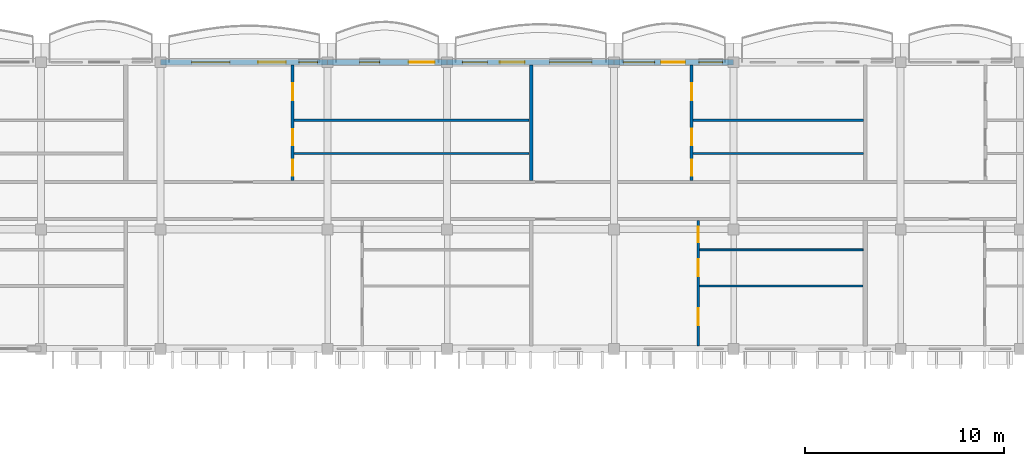
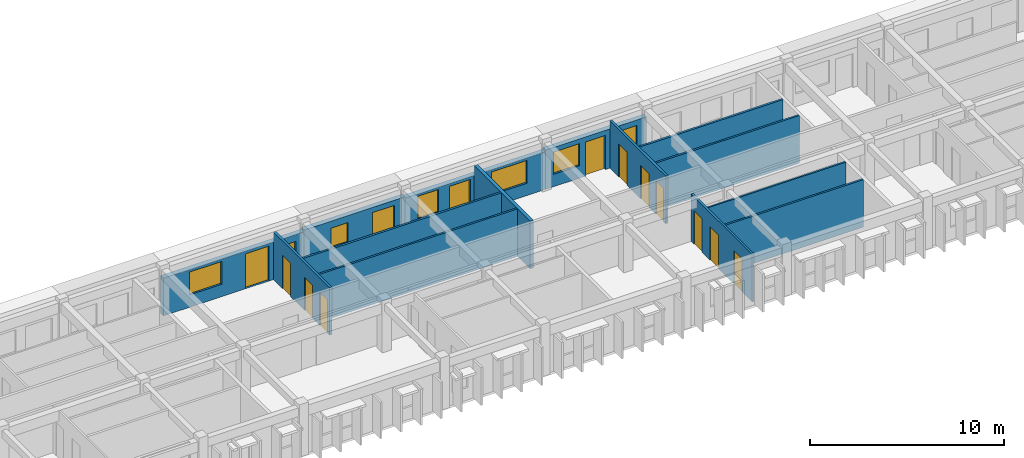
# One storey, part 36 of 68: 14 walls, 13 doors, 7 windows, 20 openings.
"""IFC4 building model written with IfcOpenShell, lengths in metres."""

from ifc_helpers import new_model, si_unit, direction, frame, frame_2d, origin, place, context, subcontext, project, spatial, rectangle, extrude, material, layer, layer_set, type_object, element, fill, save


model = new_model("IFC4")

# Units and contexts
model_context = context("Model", 3, precision=1e-05, world=origin(), true_north=direction((0.0, 1.0)))
body_context = subcontext(model_context, "Body", "Model", "MODEL_VIEW")
ifc_project = project(units=[si_unit("LENGTHUNIT", "METRE"), si_unit("AREAUNIT", "SQUARE_METRE"), si_unit("VOLUMEUNIT", "CUBIC_METRE"), si_unit("PLANEANGLEUNIT", "RADIAN"), si_unit("MASSUNIT", "GRAM", prefix="KILO"), si_unit("THERMODYNAMICTEMPERATUREUNIT", "KELVIN")], contexts=[model_context])

# Site, building, storey
site_placement = place(None, origin())
site = spatial("IfcSite", under=ifc_project, at=site_placement, CompositionType="ELEMENT")
building_placement = place(site_placement, origin())
building = spatial("IfcBuilding", under=site, at=building_placement, Name="Thalorik Housing Commons", CompositionType="ELEMENT")
storey_placement = place(building_placement, frame((0.0, 0.0, 24.60009765625)))
storey = spatial("IfcBuildingStorey", under=building, at=storey_placement, Name="L07", CompositionType="ELEMENT", Elevation=24.60009765625)

# Wall, openings, door, windows
ifc_material_1 = material(Name="White precast concrete C40/50", Category="concrete")
ifc_layer_1 = layer(ifc_material_1, 0.2900390625, Name="White precast concrete C40/50", Category="concrete")
ifc_layer_set_1 = layer_set([ifc_layer_1], Name="White precast concrete C40/50")
wall_type_1 = type_object("IfcWallType", Name="ARC-WAL-EXT-290", PredefinedType="STANDARD", material=ifc_layer_set_1)
wall_1_placement = place(storey_placement, frame((129.60009765625, 123.60009765625, 0.0), z_axis=(0.0, 0.0, 1.0), x_axis=(-1.0, 0.0, 0.0)))
wall_1 = element("IfcWall", 1, at=wall_1_placement, inside=storey, type_object=wall_type_1, Name="L07 Exterior Wall WAL-EXT-L07-B-0642", PredefinedType="STANDARD", context=body_context, shape_type="SweptSolid", body=[
    extrude(rectangle(XDim=6.0, YDim=0.2900390625, at=frame_2d((3.0, 0.0))), origin(), (0.0, 0.0, 1.0), 2.474853515625),
])
opening_1_placement = place(wall_1_placement, frame((2.44091796875, 0.0, 0.0)))
opening_1 = element("IfcOpeningElement", 2, at=opening_1_placement, cuts=wall_1, Name="Opening ED-0211", PredefinedType="OPENING", context=body_context, shape_type="SweptSolid", body=[
    extrude(rectangle(XDim=1.199951171875, YDim=2.14990234375, at=frame_2d((0.60009765625, 1.074951171875))), frame((0.0, 0.155029296875, 0.0), z_axis=(0.0, -1.0, 0.0), x_axis=(1.0, 0.0, 0.0)), (0.0, 0.0, 1.0), 0.31005859375),
])
opening_2_placement = place(wall_1_placement, frame((0.55029296875, 0.0, 0.780029296875)))
opening_2 = element("IfcOpeningElement", 3, at=opening_2_placement, cuts=wall_1, Name="Opening W-04", PredefinedType="OPENING", context=body_context, shape_type="SweptSolid", body=[
    extrude(rectangle(XDim=1.199951171875, YDim=1.35009765625, at=frame_2d((0.60009765625, 0.675048828125))), frame((0.0, 0.155029296875, 0.0), z_axis=(0.0, -1.0, 0.0), x_axis=(1.0, 0.0, 0.0)), (0.0, 0.0, 1.0), 0.31005859375),
])
opening_3_placement = place(wall_1_placement, frame((3.975341796875, 0.0, 0.780029296875)))
opening_3 = element("IfcOpeningElement", 4, at=opening_3_placement, cuts=wall_1, Name="Opening W-12", PredefinedType="OPENING", context=body_context, shape_type="SweptSolid", body=[
    extrude(rectangle(XDim=1.550048828125, YDim=1.39990234375, at=frame_2d((0.77490234375, 0.699951171875))), frame((0.0, 0.155029296875, 0.0), z_axis=(0.0, -1.0, 0.0), x_axis=(1.0, 0.0, 0.0)), (0.0, 0.0, 1.0), 0.31005859375),
])
ifc_material_2 = material(Name="Anodised aluminium and laminated safety glass", Category="aluminium")
door_type_1 = type_object("IfcDoorType", Name="ARC-DR-BAL-1200", OperationType="NOTDEFINED", PredefinedType="DOOR", material=ifc_material_2)
door_1_placement = place(opening_1_placement, frame((1.199951171875, 0.0, 0.0), z_axis=(0.0, 0.0, 1.0), x_axis=(-1.0, 0.0, 0.0)))
door_1 = element("IfcDoor", 5, at=door_1_placement, inside=storey, type_object=door_type_1, Name="L07 Block B Balcony Glazed Door", OperationType="SINGLE_SWING_RIGHT", OverallHeight=2.14990234375, OverallWidth=1.199951171875, PredefinedType="DOOR", context=body_context, shape_type="SweptSolid", body=[
    extrude(rectangle(XDim=1.199951171875, YDim=2.14990234375, at=frame_2d((0.60009765625, 1.074951171875))), frame((0.0, 0.02490234375, 0.0), z_axis=(0.0, -1.0, 0.0), x_axis=(1.0, 0.0, 0.0)), (0.0, 0.0, 1.0), 0.050048828125),
])
fill(opening_1, door_1)
ifc_material_3 = material(Name="Anodised aluminium and solar-control low-E glass", Category="aluminium")
window_type_1 = type_object("IfcWindowType", Name="ARC-WIN-04", PartitioningType="SINGLE_PANEL", PredefinedType="WINDOW", material=ifc_material_3)
window_1_placement = place(opening_2_placement, origin())
window_1 = element("IfcWindow", 6, at=window_1_placement, inside=storey, type_object=window_type_1, Name="L07 Facade Window 1174", OverallHeight=1.35009765625, OverallWidth=1.199951171875, PartitioningType="SINGLE_PANEL", PredefinedType="WINDOW", context=body_context, shape_type="SweptSolid", body=[
    extrude(rectangle(XDim=1.199951171875, YDim=1.35009765625, at=frame_2d((0.60009765625, 0.675048828125))), frame((0.0, 0.030029296875, 0.0), z_axis=(0.0, -1.0, 0.0), x_axis=(1.0, 0.0, 0.0)), (0.0, 0.0, 1.0), 0.06005859375),
])
fill(opening_2, window_1)
window_type_2 = type_object("IfcWindowType", Name="ARC-WIN-12", PartitioningType="SINGLE_PANEL", PredefinedType="WINDOW", material=ifc_material_3)
window_2_placement = place(opening_3_placement, origin())
window_2 = element("IfcWindow", 7, at=window_2_placement, inside=storey, type_object=window_type_2, Name="L07 Facade Window 1175", OverallHeight=1.39990234375, OverallWidth=1.550048828125, PartitioningType="SINGLE_PANEL", PredefinedType="WINDOW", context=body_context, shape_type="SweptSolid", body=[
    extrude(rectangle(XDim=1.550048828125, YDim=1.39990234375, at=frame_2d((0.77490234375, 0.699951171875))), frame((0.0, 0.030029296875, 0.0), z_axis=(0.0, -1.0, 0.0), x_axis=(1.0, 0.0, 0.0)), (0.0, 0.0, 1.0), 0.06005859375),
])
fill(opening_3, window_2)

wall_2_placement = place(storey_placement, frame((123.60009765625, 123.60009765625, 0.0), z_axis=(0.0, 0.0, 1.0), x_axis=(-1.0, 0.0, 0.0)))
wall_2 = element("IfcWall", 8, at=wall_2_placement, inside=storey, type_object=wall_type_1, Name="L07 Exterior Wall WAL-EXT-L07-B-0643", PredefinedType="STANDARD", context=body_context, shape_type="SweptSolid", body=[
    extrude(rectangle(XDim=8.400146484375, YDim=0.2900390625, at=frame_2d((4.2001953125, 0.0))), origin(), (0.0, 0.0, 1.0), 2.375),
])
opening_4_placement = place(wall_2_placement, frame((4.5, 0.0, 0.0)))
opening_4 = element("IfcOpeningElement", 9, at=opening_4_placement, cuts=wall_2, Name="Opening ED-0212", PredefinedType="OPENING", context=body_context, shape_type="SweptSolid", body=[
    extrude(rectangle(XDim=1.25, YDim=2.199951171875, at=frame_2d((0.625, 1.10009765625))), frame((0.0, 0.155029296875, 0.0), z_axis=(0.0, -1.0, 0.0), x_axis=(1.0, 0.0, 0.0)), (0.0, 0.0, 1.0), 0.31005859375),
])
opening_5_placement = place(wall_2_placement, frame((1.1201171875, 0.0, 0.780029296875)))
opening_5 = element("IfcOpeningElement", 10, at=opening_5_placement, cuts=wall_2, Name="Opening W-64", PredefinedType="OPENING", context=body_context, shape_type="SweptSolid", body=[
    extrude(rectangle(XDim=2.1201171875, YDim=1.43994140625, at=frame_2d((1.06005859375, 0.719970703125))), frame((0.0, 0.155029296875, 0.0), z_axis=(0.0, -1.0, 0.0), x_axis=(1.0, 0.0, 0.0)), (0.0, 0.0, 1.0), 0.31005859375),
])
opening_6_placement = place(wall_2_placement, frame((6.3798828125, 0.0, 0.780029296875)))
opening_6 = element("IfcOpeningElement", 11, at=opening_6_placement, cuts=wall_2, Name="Opening W-47", PredefinedType="OPENING", context=body_context, shape_type="SweptSolid", body=[
    extrude(rectangle(XDim=1.25, YDim=1.449951171875, at=frame_2d((0.625, 0.72509765625))), frame((0.0, 0.155029296875, 0.0), z_axis=(0.0, -1.0, 0.0), x_axis=(1.0, 0.0, 0.0)), (0.0, 0.0, 1.0), 0.31005859375),
])
door_type_2 = type_object("IfcDoorType", Name="ARC-DR-BAL-1250", OperationType="NOTDEFINED", PredefinedType="DOOR", material=ifc_material_2)
door_2_placement = place(opening_4_placement, frame((1.25, 0.0, 0.0), z_axis=(0.0, 0.0, 1.0), x_axis=(-1.0, 0.0, 0.0)))
door_2 = element("IfcDoor", 12, at=door_2_placement, inside=storey, type_object=door_type_2, Name="L07 Block B Balcony Glazed Door", OperationType="SINGLE_SWING_LEFT", OverallHeight=2.199951171875, OverallWidth=1.25, PredefinedType="DOOR", context=body_context, shape_type="SweptSolid", body=[
    extrude(rectangle(XDim=1.25, YDim=2.199951171875, at=frame_2d((0.625, 1.10009765625))), frame((0.0, 0.02490234375, 0.0), z_axis=(0.0, -1.0, 0.0), x_axis=(1.0, 0.0, 0.0)), (0.0, 0.0, 1.0), 0.050048828125),
])
fill(opening_4, door_2)
window_type_3 = type_object("IfcWindowType", Name="ARC-WIN-47", PartitioningType="SINGLE_PANEL", PredefinedType="WINDOW", material=ifc_material_3)
window_3_placement = place(opening_6_placement, origin())
window_3 = element("IfcWindow", 13, at=window_3_placement, inside=storey, type_object=window_type_3, Name="L07 Facade Window 1177", OverallHeight=1.449951171875, OverallWidth=1.25, PartitioningType="SINGLE_PANEL", PredefinedType="WINDOW", context=body_context, shape_type="SweptSolid", body=[
    extrude(rectangle(XDim=1.25, YDim=1.449951171875, at=frame_2d((0.625, 0.72509765625))), frame((0.0, 0.030029296875, 0.0), z_axis=(0.0, -1.0, 0.0), x_axis=(1.0, 0.0, 0.0)), (0.0, 0.0, 1.0), 0.06005859375),
])
fill(opening_6, window_3)
window_type_4 = type_object("IfcWindowType", Name="ARC-WIN-64", PartitioningType="DOUBLE_PANEL_VERTICAL", PredefinedType="WINDOW", material=ifc_material_3)
window_4_placement = place(opening_5_placement, origin())
window_4 = element("IfcWindow", 14, at=window_4_placement, inside=storey, type_object=window_type_4, Name="L07 Facade Window 1176", OverallHeight=1.43994140625, OverallWidth=2.1201171875, PartitioningType="DOUBLE_PANEL_VERTICAL", PredefinedType="WINDOW", context=body_context, shape_type="SweptSolid", body=[
    extrude(rectangle(XDim=2.1201171875, YDim=1.43994140625, at=frame_2d((1.06005859375, 0.719970703125))), frame((0.0, 0.030029296875, 0.0), z_axis=(0.0, -1.0, 0.0), x_axis=(1.0, 0.0, 0.0)), (0.0, 0.0, 1.0), 0.06005859375),
])
fill(opening_5, window_4)

# Wall, openings, door, window
wall_3_placement = place(storey_placement, frame((115.199951171875, 123.60009765625, 0.0), z_axis=(0.0, 0.0, 1.0), x_axis=(-1.0, 0.0, 0.0)))
wall_3 = element("IfcWall", 15, at=wall_3_placement, inside=storey, type_object=wall_type_1, Name="L07 Exterior Wall WAL-EXT-L07-B-0644", PredefinedType="STANDARD", context=body_context, shape_type="SweptSolid", body=[
    extrude(rectangle(XDim=6.0, YDim=0.2900390625, at=frame_2d((3.0, 0.0))), origin(), (0.0, 0.0, 1.0), 2.474853515625),
])
opening_7_placement = place(wall_3_placement, frame((0.6201171875, 0.0, 0.0)))
opening_7 = element("IfcOpeningElement", 16, at=opening_7_placement, cuts=wall_3, Name="Opening ED-0213", PredefinedType="OPENING", context=body_context, shape_type="SweptSolid", body=[
    extrude(rectangle(XDim=1.300048828125, YDim=2.14990234375, at=frame_2d((0.64990234375, 1.074951171875))), frame((0.0, 0.155029296875, 0.0), z_axis=(0.0, -1.0, 0.0), x_axis=(1.0, 0.0, 0.0)), (0.0, 0.0, 1.0), 0.31005859375),
])
opening_8_placement = place(wall_3_placement, frame((3.389892578125, 0.0, 0.780029296875)))
opening_8 = element("IfcOpeningElement", 17, at=opening_8_placement, cuts=wall_3, Name="Opening W-02", PredefinedType="OPENING", context=body_context, shape_type="SweptSolid", body=[
    extrude(rectangle(XDim=1.0, YDim=1.25, at=frame_2d((0.5, 0.625))), frame((0.0, 0.155029296875, 0.0), z_axis=(0.0, -1.0, 0.0), x_axis=(1.0, 0.0, 0.0)), (0.0, 0.0, 1.0), 0.31005859375),
])
door_type_3 = type_object("IfcDoorType", Name="ARC-DR-BAL-1300", OperationType="NOTDEFINED", PredefinedType="DOOR", material=ifc_material_2)
door_3_placement = place(opening_7_placement, frame((1.300048828125, 0.0, 0.0), z_axis=(0.0, 0.0, 1.0), x_axis=(-1.0, 0.0, 0.0)))
door_3 = element("IfcDoor", 18, at=door_3_placement, inside=storey, type_object=door_type_3, Name="L07 Block B Balcony Glazed Door", OperationType="SINGLE_SWING_RIGHT", OverallHeight=2.14990234375, OverallWidth=1.300048828125, PredefinedType="DOOR", context=body_context, shape_type="SweptSolid", body=[
    extrude(rectangle(XDim=1.300048828125, YDim=2.14990234375, at=frame_2d((0.64990234375, 1.074951171875))), frame((0.0, 0.02490234375, 0.0), z_axis=(0.0, -1.0, 0.0), x_axis=(1.0, 0.0, 0.0)), (0.0, 0.0, 1.0), 0.050048828125),
])
fill(opening_7, door_3)
window_type_5 = type_object("IfcWindowType", Name="ARC-WIN-02", PartitioningType="SINGLE_PANEL", PredefinedType="WINDOW", material=ifc_material_3)
window_5_placement = place(opening_8_placement, origin())
window_5 = element("IfcWindow", 19, at=window_5_placement, inside=storey, type_object=window_type_5, Name="L07 Facade Window 1178", OverallHeight=1.25, OverallWidth=1.0, PartitioningType="SINGLE_PANEL", PredefinedType="WINDOW", context=body_context, shape_type="SweptSolid", body=[
    extrude(rectangle(XDim=1.0, YDim=1.25, at=frame_2d((0.5, 0.625))), frame((0.0, 0.030029296875, 0.0), z_axis=(0.0, -1.0, 0.0), x_axis=(1.0, 0.0, 0.0)), (0.0, 0.0, 1.0), 0.06005859375),
])
fill(opening_8, window_5)

# Wall, openings, door, windows
wall_4_placement = place(storey_placement, frame((109.199951171875, 123.60009765625, 0.0), z_axis=(0.0, 0.0, 1.0), x_axis=(-1.0, 0.0, 0.0)))
wall_4 = element("IfcWall", 20, at=wall_4_placement, inside=storey, type_object=wall_type_1, Name="L07 Exterior Wall WAL-EXT-L07-B-0645", PredefinedType="STANDARD", context=body_context, shape_type="SweptSolid", body=[
    extrude(rectangle(XDim=8.39990234375, YDim=0.2900390625, at=frame_2d((4.199951171875, 0.0))), origin(), (0.0, 0.0, 1.0), 2.375),
])
opening_9_placement = place(wall_4_placement, frame((2.09765625, 0.0, 0.0)))
opening_9 = element("IfcOpeningElement", 21, at=opening_9_placement, cuts=wall_4, Name="Opening ED-0214", PredefinedType="OPENING", context=body_context, shape_type="SweptSolid", body=[
    extrude(rectangle(XDim=1.39990234375, YDim=2.199951171875, at=frame_2d((0.699951171875, 1.10009765625))), frame((0.0, 0.155029296875, 0.0), z_axis=(0.0, -1.0, 0.0), x_axis=(1.0, 0.0, 0.0)), (0.0, 0.0, 1.0), 0.31005859375),
])
opening_10_placement = place(wall_4_placement, frame((0.50390625, 0.0, 0.780029296875)))
opening_10 = element("IfcOpeningElement", 22, at=opening_10_placement, cuts=wall_4, Name="Opening W-43", PredefinedType="OPENING", context=body_context, shape_type="SweptSolid", body=[
    extrude(rectangle(XDim=0.949951171875, YDim=1.14990234375, at=frame_2d((0.47509765625, 0.574951171875))), frame((0.0, 0.155029296875, 0.0), z_axis=(0.0, -1.0, 0.0), x_axis=(1.0, 0.0, 0.0)), (0.0, 0.0, 1.0), 0.31005859375),
])
opening_11_placement = place(wall_4_placement, frame((4.918701171875, 0.0, 0.780029296875)))
opening_11 = element("IfcOpeningElement", 23, at=opening_11_placement, cuts=wall_4, Name="Opening W-60", PredefinedType="OPENING", context=body_context, shape_type="SweptSolid", body=[
    extrude(rectangle(XDim=1.919921875, YDim=1.43994140625, at=frame_2d((0.9599609375, 0.719970703125))), frame((0.0, 0.155029296875, 0.0), z_axis=(0.0, -1.0, 0.0), x_axis=(1.0, 0.0, 0.0)), (0.0, 0.0, 1.0), 0.31005859375),
])
door_type_4 = type_object("IfcDoorType", Name="ARC-DR-BAL-1400", OperationType="NOTDEFINED", PredefinedType="DOOR", material=ifc_material_2)
door_4_placement = place(opening_9_placement, frame((1.39990234375, 0.0, 0.0), z_axis=(0.0, 0.0, 1.0), x_axis=(-1.0, 0.0, 0.0)))
door_4 = element("IfcDoor", 24, at=door_4_placement, inside=storey, type_object=door_type_4, Name="L07 Block B Balcony Glazed Door", OperationType="SLIDING_TO_LEFT", OverallHeight=2.199951171875, OverallWidth=1.39990234375, PredefinedType="DOOR", context=body_context, shape_type="SweptSolid", body=[
    extrude(rectangle(XDim=1.39990234375, YDim=2.199951171875, at=frame_2d((0.699951171875, 1.10009765625))), frame((0.0, 0.02490234375, 0.0), z_axis=(0.0, -1.0, 0.0), x_axis=(1.0, 0.0, 0.0)), (0.0, 0.0, 1.0), 0.050048828125),
])
fill(opening_9, door_4)
window_type_6 = type_object("IfcWindowType", Name="ARC-WIN-43", PartitioningType="SINGLE_PANEL", PredefinedType="WINDOW", material=ifc_material_3)
window_6_placement = place(opening_10_placement, origin())
window_6 = element("IfcWindow", 25, at=window_6_placement, inside=storey, type_object=window_type_6, Name="L07 Facade Window 1179", OverallHeight=1.14990234375, OverallWidth=0.949951171875, PartitioningType="SINGLE_PANEL", PredefinedType="WINDOW", context=body_context, shape_type="SweptSolid", body=[
    extrude(rectangle(XDim=0.949951171875, YDim=1.14990234375, at=frame_2d((0.47509765625, 0.574951171875))), frame((0.0, 0.030029296875, 0.0), z_axis=(0.0, -1.0, 0.0), x_axis=(1.0, 0.0, 0.0)), (0.0, 0.0, 1.0), 0.06005859375),
])
fill(opening_10, window_6)
window_type_7 = type_object("IfcWindowType", Name="ARC-WIN-60", PartitioningType="DOUBLE_PANEL_VERTICAL", PredefinedType="WINDOW", material=ifc_material_3)
window_7_placement = place(opening_11_placement, origin())
window_7 = element("IfcWindow", 26, at=window_7_placement, inside=storey, type_object=window_type_7, Name="L07 Facade Window 1180", OverallHeight=1.43994140625, OverallWidth=1.919921875, PartitioningType="DOUBLE_PANEL_VERTICAL", PredefinedType="WINDOW", context=body_context, shape_type="SweptSolid", body=[
    extrude(rectangle(XDim=1.919921875, YDim=1.43994140625, at=frame_2d((0.9599609375, 0.719970703125))), frame((0.0, 0.030029296875, 0.0), z_axis=(0.0, -1.0, 0.0), x_axis=(1.0, 0.0, 0.0)), (0.0, 0.0, 1.0), 0.06005859375),
])
fill(opening_11, window_7)

# Walls
ifc_material_4 = material(Name="Gypsum light stud partition", Category="masonry")
ifc_layer_2 = layer(ifc_material_4, 0.10009765625, Name="Gypsum light stud partition", Category="masonry")
ifc_layer_set_2 = layer_set([ifc_layer_2], Name="Gypsum light stud partition")
wall_type_2 = type_object("IfcWallType", Name="ARC-WAL-PART-100", PredefinedType="PARTITIONING", material=ifc_layer_set_2)
wall_5_placement = place(storey_placement, frame((127.889404296875, 114.169677734375, 0.0), z_axis=(0.0, 0.0, 1.0), x_axis=(1.0, 0.0, 0.0)))
element("IfcWall", 27, at=wall_5_placement, inside=storey, type_object=wall_type_2, Name="L07 Unit 3 Wet Wall", PredefinedType="PARTITIONING", context=body_context, shape_type="SweptSolid", body=[
    extrude(rectangle(XDim=8.218505859375, YDim=0.10009765625, at=frame_2d((4.109375, 0.0))), origin(), (0.0, 0.0, 1.0), 3.0),
])
ifc_material_5 = material(Name="Gypsum moisture-resistant partition", Category="masonry")
ifc_layer_3 = layer(ifc_material_5, 0.114990234375, Name="Gypsum moisture-resistant partition", Category="masonry")
ifc_layer_set_3 = layer_set([ifc_layer_3], Name="Gypsum moisture-resistant partition")
wall_type_3 = type_object("IfcWallType", Name="ARC-WAL-PART-115", PredefinedType="PARTITIONING", material=ifc_layer_set_3)
wall_6_placement = place(storey_placement, frame((107.50439453125, 119.010498046875, 0.0), z_axis=(0.0, 0.0, 1.0), x_axis=(1.0, 0.0, 0.0)))
element("IfcWall", 28, at=wall_6_placement, inside=storey, type_object=wall_type_3, Name="L07 Unit 2B Wet Wall", PredefinedType="PARTITIONING", context=body_context, shape_type="SweptSolid", body=[
    extrude(rectangle(XDim=11.823486328125, YDim=0.114990234375, at=frame_2d((5.91162109375, 0.0))), origin(), (0.0, 0.0, 1.0), 3.0),
])
wall_7_placement = place(storey_placement, frame((127.889404296875, 112.36083984375, 0.0), z_axis=(0.0, 0.0, 1.0), x_axis=(1.0, 0.0, 0.0)))
element("IfcWall", 29, at=wall_7_placement, inside=storey, type_object=wall_type_3, Name="L07 Unit 3 Bedroom Partition", PredefinedType="PARTITIONING", context=body_context, shape_type="SweptSolid", body=[
    extrude(rectangle(XDim=8.218505859375, YDim=0.114990234375, at=frame_2d((4.109375, 0.0))), origin(), (0.0, 0.0, 1.0), 3.0),
])
wall_8_placement = place(storey_placement, frame((127.561279296875, 119.010498046875, 0.0), z_axis=(0.0, 0.0, 1.0), x_axis=(1.0, 0.0, 0.0)))
element("IfcWall", 30, at=wall_8_placement, inside=storey, type_object=wall_type_3, Name="L07 Unit 3B Wet Wall", PredefinedType="PARTITIONING", context=body_context, shape_type="SweptSolid", body=[
    extrude(rectangle(XDim=8.564208984375, YDim=0.114990234375, at=frame_2d((4.2822265625, 0.0))), origin(), (0.0, 0.0, 1.0), 3.0),
])
ifc_material_6 = material(Name="Gypsum acoustic stud partition", Category="masonry")
ifc_layer_4 = layer(ifc_material_6, 0.125, Name="Gypsum acoustic stud partition", Category="masonry")
ifc_layer_set_4 = layer_set([ifc_layer_4], Name="Gypsum acoustic stud partition")
wall_type_4 = type_object("IfcWallType", Name="ARC-WAL-PART-125", PredefinedType="PARTITIONING", material=ifc_layer_set_4)
wall_9_placement = place(storey_placement, frame((107.50439453125, 120.67919921875, 0.0), z_axis=(0.0, 0.0, 1.0), x_axis=(1.0, 0.0, 0.0)))
element("IfcWall", 31, at=wall_9_placement, inside=storey, type_object=wall_type_4, Name="L07 Unit 2B Bedroom Partition", PredefinedType="PARTITIONING", context=body_context, shape_type="SweptSolid", body=[
    extrude(rectangle(XDim=11.823486328125, YDim=0.125, at=frame_2d((5.91162109375, 0.0))), origin(), (0.0, 0.0, 1.0), 3.0),
])

# Wall, openings, doors
wall_10_placement = place(storey_placement, frame((127.824951171875, 109.346923828125, 0.0), z_axis=(0.0, 0.0, 1.0), x_axis=(0.0, 1.0, 0.0)))
wall_10 = element("IfcWall", 32, at=wall_10_placement, inside=storey, type_object=wall_type_4, Name="L07 Unit 3 Spine Partition", PredefinedType="PARTITIONING", context=body_context, shape_type="SweptSolid", body=[
    extrude(rectangle(XDim=6.296142578125, YDim=0.125, at=frame_2d((3.14794921875, 0.0))), origin(), (0.0, 0.0, 1.0), 3.0),
])
opening_12_placement = place(wall_10_placement, frame((1.038330078125, 0.0, 0.0)))
opening_12 = element("IfcOpeningElement", 33, at=opening_12_placement, cuts=wall_10, Name="Opening ID-1290", PredefinedType="OPENING", context=body_context, shape_type="SweptSolid", body=[
    extrude(rectangle(XDim=0.85009765625, YDim=2.10009765625, at=frame_2d((0.425048828125, 1.050048828125))), frame((0.0, 0.072509765625, 0.0), z_axis=(0.0, -1.0, 0.0), x_axis=(1.0, 0.0, 0.0)), (0.0, 0.0, 1.0), 0.14501953125),
])
opening_13_placement = place(wall_10_placement, frame((3.4931640625, 0.0, 0.0)))
opening_13 = element("IfcOpeningElement", 34, at=opening_13_placement, cuts=wall_10, Name="Opening ID-1291", PredefinedType="OPENING", context=body_context, shape_type="SweptSolid", body=[
    extrude(rectangle(XDim=0.85009765625, YDim=2.10009765625, at=frame_2d((0.425048828125, 1.050048828125))), frame((0.0, 0.072509765625, 0.0), z_axis=(0.0, -1.0, 0.0), x_axis=(1.0, 0.0, 0.0)), (0.0, 0.0, 1.0), 0.14501953125),
])
opening_14_placement = place(wall_10_placement, frame((5.19775390625, 0.0, 0.0)))
opening_14 = element("IfcOpeningElement", 35, at=opening_14_placement, cuts=wall_10, Name="Opening ID-1292", PredefinedType="OPENING", context=body_context, shape_type="SweptSolid", body=[
    extrude(rectangle(XDim=0.800048828125, YDim=2.10009765625, at=frame_2d((0.39990234375, 1.050048828125))), frame((0.0, 0.072509765625, 0.0), z_axis=(0.0, -1.0, 0.0), x_axis=(1.0, 0.0, 0.0)), (0.0, 0.0, 1.0), 0.14501953125),
])
ifc_material_7 = material(Name="Moisture-resistant timber", Category="wood")
door_type_5 = type_object("IfcDoorType", Name="ARC-DR-INT-800", OperationType="NOTDEFINED", PredefinedType="DOOR", material=ifc_material_7)
door_5_placement = place(opening_14_placement, origin())
door_5 = element("IfcDoor", 36, at=door_5_placement, inside=storey, type_object=door_type_5, Name="L07 Accessible Bathroom Door", OperationType="SINGLE_SWING_LEFT", OverallHeight=2.10009765625, OverallWidth=0.800048828125, PredefinedType="DOOR", context=body_context, shape_type="SweptSolid", body=[
    extrude(rectangle(XDim=0.800048828125, YDim=2.10009765625, at=frame_2d((0.39990234375, 1.050048828125))), frame((0.0, 0.02490234375, 0.0), z_axis=(0.0, -1.0, 0.0), x_axis=(1.0, 0.0, 0.0)), (0.0, 0.0, 1.0), 0.050048828125),
])
fill(opening_14, door_5)
ifc_material_8 = material(Name="Engineered oak timber", Category="wood")
door_type_6 = type_object("IfcDoorType", Name="ARC-DR-INT-850", OperationType="NOTDEFINED", PredefinedType="DOOR", material=ifc_material_8)
door_6_placement = place(opening_12_placement, origin())
door_6 = element("IfcDoor", 37, at=door_6_placement, inside=storey, type_object=door_type_6, Name="L07 Single Bedroom Door", OperationType="SINGLE_SWING_LEFT", OverallHeight=2.10009765625, OverallWidth=0.85009765625, PredefinedType="DOOR", context=body_context, shape_type="SweptSolid", body=[
    extrude(rectangle(XDim=0.85009765625, YDim=2.10009765625, at=frame_2d((0.425048828125, 1.050048828125))), frame((0.0, 0.02490234375, 0.0), z_axis=(0.0, -1.0, 0.0), x_axis=(1.0, 0.0, 0.0)), (0.0, 0.0, 1.0), 0.050048828125),
])
fill(opening_12, door_6)
door_7_placement = place(opening_13_placement, origin())
door_7 = element("IfcDoor", 38, at=door_7_placement, inside=storey, type_object=door_type_6, Name="L07 Eat-In Kitchen Door", OperationType="SINGLE_SWING_RIGHT", OverallHeight=2.10009765625, OverallWidth=0.85009765625, PredefinedType="DOOR", context=body_context, shape_type="SweptSolid", body=[
    extrude(rectangle(XDim=0.85009765625, YDim=2.10009765625, at=frame_2d((0.425048828125, 1.050048828125))), frame((0.0, 0.02490234375, 0.0), z_axis=(0.0, -1.0, 0.0), x_axis=(1.0, 0.0, 0.0)), (0.0, 0.0, 1.0), 0.050048828125),
])
fill(opening_13, door_7)

# Wall
wall_11_placement = place(storey_placement, frame((127.561279296875, 120.67919921875, 0.0), z_axis=(0.0, 0.0, 1.0), x_axis=(1.0, 0.0, 0.0)))
element("IfcWall", 39, at=wall_11_placement, inside=storey, type_object=wall_type_4, Name="L07 Unit 3B Bedroom Partition", PredefinedType="PARTITIONING", context=body_context, shape_type="SweptSolid", body=[
    extrude(rectangle(XDim=8.564208984375, YDim=0.125, at=frame_2d((4.2822265625, 0.0))), origin(), (0.0, 0.0, 1.0), 3.0),
])

# Wall, openings, doors
ifc_material_9 = material(Name="Ceramic masonry partition wall", Category="masonry")
ifc_layer_5 = layer(ifc_material_9, 0.139892578125, Name="Ceramic masonry partition wall", Category="masonry")
ifc_layer_set_5 = layer_set([ifc_layer_5], Name="Ceramic masonry partition wall")
wall_type_5 = type_object("IfcWallType", Name="ARC-WAL-PART-140", PredefinedType="PARTITIONING", material=ifc_layer_set_5)
wall_12_placement = place(storey_placement, frame((107.432373046875, 117.66455078125, 0.0), z_axis=(0.0, 0.0, 1.0), x_axis=(0.0, 1.0, 0.0)))
wall_12 = element("IfcWall", 40, at=wall_12_placement, inside=storey, type_object=wall_type_5, Name="L07 Unit 2B Spine Partition", PredefinedType="PARTITIONING", context=body_context, shape_type="SweptSolid", body=[
    extrude(rectangle(XDim=5.788330078125, YDim=0.139892578125, at=frame_2d((2.89404296875, 0.0))), origin(), (0.0, 0.0, 1.0), 3.0),
])
opening_15_placement = place(wall_12_placement, frame((0.230712890625, 0.0, 0.0)))
opening_15 = element("IfcOpeningElement", 41, at=opening_15_placement, cuts=wall_12, Name="Opening ID-1287", PredefinedType="OPENING", context=body_context, shape_type="SweptSolid", body=[
    extrude(rectangle(XDim=0.800048828125, YDim=2.10009765625, at=frame_2d((0.39990234375, 1.050048828125))), frame((0.0, 0.080078125, 0.0), z_axis=(0.0, -1.0, 0.0), x_axis=(1.0, 0.0, 0.0)), (0.0, 0.0, 1.0), 0.159912109375),
])
opening_16_placement = place(wall_12_placement, frame((1.75537109375, 0.0, 0.0)))
opening_16 = element("IfcOpeningElement", 42, at=opening_16_placement, cuts=wall_12, Name="Opening ID-1288", PredefinedType="OPENING", context=body_context, shape_type="SweptSolid", body=[
    extrude(rectangle(XDim=0.820068359375, YDim=2.080078125, at=frame_2d((0.41015625, 1.0400390625))), frame((0.0, 0.080078125, 0.0), z_axis=(0.0, -1.0, 0.0), x_axis=(1.0, 0.0, 0.0)), (0.0, 0.0, 1.0), 0.159912109375),
])
opening_17_placement = place(wall_12_placement, frame((4.02001953125, 0.0, 0.0)))
opening_17 = element("IfcOpeningElement", 43, at=opening_17_placement, cuts=wall_12, Name="Opening ID-1289", PredefinedType="OPENING", context=body_context, shape_type="SweptSolid", body=[
    extrude(rectangle(XDim=0.85009765625, YDim=2.10009765625, at=frame_2d((0.425048828125, 1.050048828125))), frame((0.0, 0.080078125, 0.0), z_axis=(0.0, -1.0, 0.0), x_axis=(1.0, 0.0, 0.0)), (0.0, 0.0, 1.0), 0.159912109375),
])
door_8_placement = place(opening_15_placement, origin())
door_8 = element("IfcDoor", 44, at=door_8_placement, inside=storey, type_object=door_type_5, Name="L07 Flat Bathroom Door", OperationType="SINGLE_SWING_RIGHT", OverallHeight=2.10009765625, OverallWidth=0.800048828125, PredefinedType="DOOR", context=body_context, shape_type="SweptSolid", body=[
    extrude(rectangle(XDim=0.800048828125, YDim=2.10009765625, at=frame_2d((0.39990234375, 1.050048828125))), frame((0.0, 0.02490234375, 0.0), z_axis=(0.0, -1.0, 0.0), x_axis=(1.0, 0.0, 0.0)), (0.0, 0.0, 1.0), 0.050048828125),
])
fill(opening_15, door_8)
door_type_7 = type_object("IfcDoorType", Name="ARC-DR-INT-820", OperationType="NOTDEFINED", PredefinedType="DOOR", material=ifc_material_8)
door_9_placement = place(opening_16_placement, origin())
door_9 = element("IfcDoor", 45, at=door_9_placement, inside=storey, type_object=door_type_7, Name="L07 Galley Kitchen Door", OperationType="SINGLE_SWING_LEFT", OverallHeight=2.080078125, OverallWidth=0.820068359375, PredefinedType="DOOR", context=body_context, shape_type="SweptSolid", body=[
    extrude(rectangle(XDim=0.820068359375, YDim=2.080078125, at=frame_2d((0.41015625, 1.0400390625))), frame((0.0, 0.02490234375, 0.0), z_axis=(0.0, -1.0, 0.0), x_axis=(1.0, 0.0, 0.0)), (0.0, 0.0, 1.0), 0.050048828125),
])
fill(opening_16, door_9)
door_10_placement = place(opening_17_placement, origin())
door_10 = element("IfcDoor", 46, at=door_10_placement, inside=storey, type_object=door_type_6, Name="L07 Single Bedroom Door", OperationType="SINGLE_SWING_RIGHT", OverallHeight=2.10009765625, OverallWidth=0.85009765625, PredefinedType="DOOR", context=body_context, shape_type="SweptSolid", body=[
    extrude(rectangle(XDim=0.85009765625, YDim=2.10009765625, at=frame_2d((0.425048828125, 1.050048828125))), frame((0.0, 0.02490234375, 0.0), z_axis=(0.0, -1.0, 0.0), x_axis=(1.0, 0.0, 0.0)), (0.0, 0.0, 1.0), 0.050048828125),
])
fill(opening_17, door_10)

wall_13_placement = place(storey_placement, frame((127.4892578125, 117.66455078125, 0.0), z_axis=(0.0, 0.0, 1.0), x_axis=(0.0, 1.0, 0.0)))
wall_13 = element("IfcWall", 47, at=wall_13_placement, inside=storey, type_object=wall_type_5, Name="L07 Unit 3B Spine Partition", PredefinedType="PARTITIONING", context=body_context, shape_type="SweptSolid", body=[
    extrude(rectangle(XDim=5.788330078125, YDim=0.139892578125, at=frame_2d((2.89404296875, 0.0))), origin(), (0.0, 0.0, 1.0), 3.0),
])
opening_18_placement = place(wall_13_placement, frame((0.230712890625, 0.0, 0.0)))
opening_18 = element("IfcOpeningElement", 48, at=opening_18_placement, cuts=wall_13, Name="Opening ID-1293", PredefinedType="OPENING", context=body_context, shape_type="SweptSolid", body=[
    extrude(rectangle(XDim=0.800048828125, YDim=2.10009765625, at=frame_2d((0.39990234375, 1.050048828125))), frame((0.0, 0.080078125, 0.0), z_axis=(0.0, -1.0, 0.0), x_axis=(1.0, 0.0, 0.0)), (0.0, 0.0, 1.0), 0.159912109375),
])
opening_19_placement = place(wall_13_placement, frame((1.75537109375, 0.0, 0.0)))
opening_19 = element("IfcOpeningElement", 49, at=opening_19_placement, cuts=wall_13, Name="Opening ID-1294", PredefinedType="OPENING", context=body_context, shape_type="SweptSolid", body=[
    extrude(rectangle(XDim=0.85009765625, YDim=2.10009765625, at=frame_2d((0.425048828125, 1.050048828125))), frame((0.0, 0.080078125, 0.0), z_axis=(0.0, -1.0, 0.0), x_axis=(1.0, 0.0, 0.0)), (0.0, 0.0, 1.0), 0.159912109375),
])
opening_20_placement = place(wall_13_placement, frame((4.02001953125, 0.0, 0.0)))
opening_20 = element("IfcOpeningElement", 50, at=opening_20_placement, cuts=wall_13, Name="Opening ID-1295", PredefinedType="OPENING", context=body_context, shape_type="SweptSolid", body=[
    extrude(rectangle(XDim=0.85009765625, YDim=2.10009765625, at=frame_2d((0.425048828125, 1.050048828125))), frame((0.0, 0.080078125, 0.0), z_axis=(0.0, -1.0, 0.0), x_axis=(1.0, 0.0, 0.0)), (0.0, 0.0, 1.0), 0.159912109375),
])
door_11_placement = place(opening_18_placement, origin())
door_11 = element("IfcDoor", 51, at=door_11_placement, inside=storey, type_object=door_type_5, Name="L07 Flat Bathroom Door", OperationType="SINGLE_SWING_RIGHT", OverallHeight=2.10009765625, OverallWidth=0.800048828125, PredefinedType="DOOR", context=body_context, shape_type="SweptSolid", body=[
    extrude(rectangle(XDim=0.800048828125, YDim=2.10009765625, at=frame_2d((0.39990234375, 1.050048828125))), frame((0.0, 0.02490234375, 0.0), z_axis=(0.0, -1.0, 0.0), x_axis=(1.0, 0.0, 0.0)), (0.0, 0.0, 1.0), 0.050048828125),
])
fill(opening_18, door_11)
door_12_placement = place(opening_19_placement, origin())
door_12 = element("IfcDoor", 52, at=door_12_placement, inside=storey, type_object=door_type_6, Name="L07 Eat-In Kitchen Door", OperationType="SINGLE_SWING_LEFT", OverallHeight=2.10009765625, OverallWidth=0.85009765625, PredefinedType="DOOR", context=body_context, shape_type="SweptSolid", body=[
    extrude(rectangle(XDim=0.85009765625, YDim=2.10009765625, at=frame_2d((0.425048828125, 1.050048828125))), frame((0.0, 0.02490234375, 0.0), z_axis=(0.0, -1.0, 0.0), x_axis=(1.0, 0.0, 0.0)), (0.0, 0.0, 1.0), 0.050048828125),
])
fill(opening_19, door_12)
door_13_placement = place(opening_20_placement, origin())
door_13 = element("IfcDoor", 53, at=door_13_placement, inside=storey, type_object=door_type_6, Name="L07 Master Bedroom Door", OperationType="SINGLE_SWING_RIGHT", OverallHeight=2.10009765625, OverallWidth=0.85009765625, PredefinedType="DOOR", context=body_context, shape_type="SweptSolid", body=[
    extrude(rectangle(XDim=0.85009765625, YDim=2.10009765625, at=frame_2d((0.425048828125, 1.050048828125))), frame((0.0, 0.02490234375, 0.0), z_axis=(0.0, -1.0, 0.0), x_axis=(1.0, 0.0, 0.0)), (0.0, 0.0, 1.0), 0.050048828125),
])
fill(opening_20, door_13)

# Wall
ifc_material_10 = material(Name="Precast concrete C40/50 acoustic wall", Category="concrete")
ifc_layer_6 = layer(ifc_material_10, 0.199951171875, Name="Precast concrete C40/50 acoustic wall", Category="concrete")
ifc_layer_set_6 = layer_set([ifc_layer_6], Name="Precast concrete C40/50 acoustic wall")
wall_type_6 = type_object("IfcWallType", Name="ARC-WAL-PARTY-200", PredefinedType="PARTITIONING", material=ifc_layer_set_6)
wall_14_placement = place(storey_placement, frame((119.429931640625, 117.66455078125, 0.0), z_axis=(0.0, 0.0, 1.0), x_axis=(0.0, 1.0, 0.0)))
element("IfcWall", 54, at=wall_14_placement, inside=storey, type_object=wall_type_6, Name="L07 Inter-Tenancy Wall 2B", PredefinedType="PARTITIONING", context=body_context, shape_type="SweptSolid", body=[
    extrude(rectangle(XDim=5.788330078125, YDim=0.199951171875, at=frame_2d((2.89404296875, 0.0))), origin(), (0.0, 0.0, 1.0), 3.0),
])

save(model, "model.ifc")
